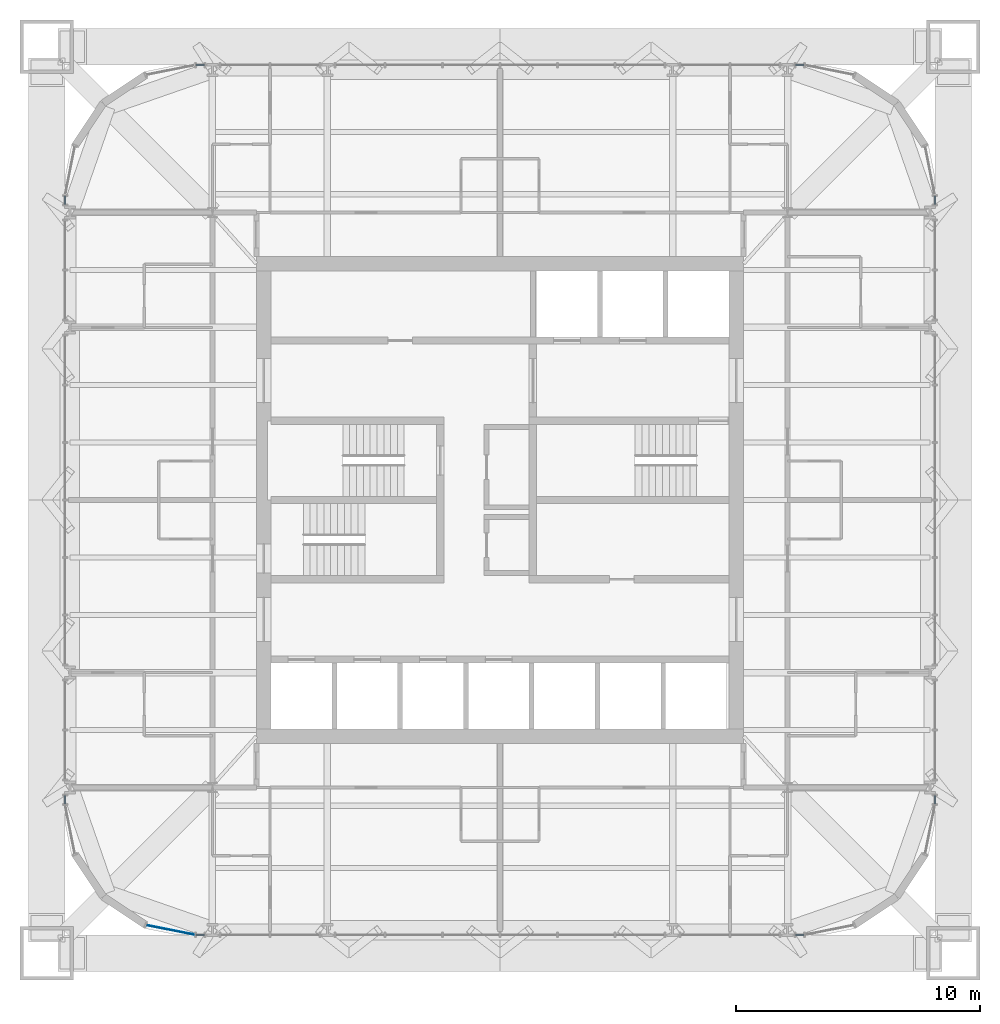
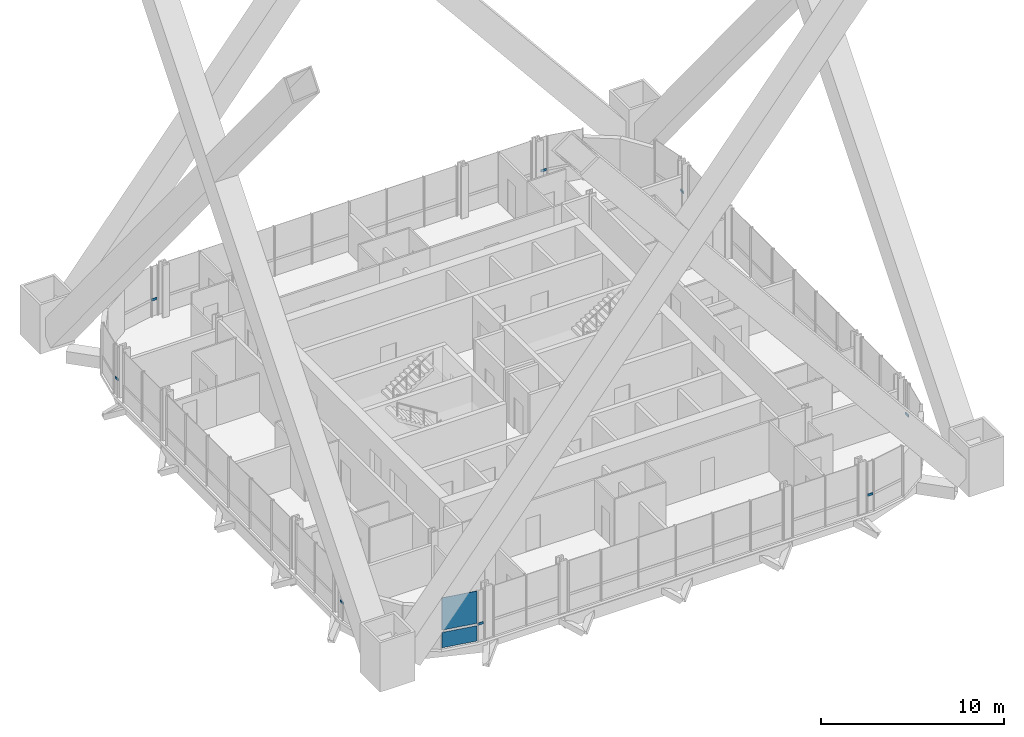
# One storey, part 13 of 23: 8 members, 2 plates, 9 elements without a shape of their own.
"""IFC4 building model written with IfcOpenShell, lengths in metres."""

from ifc_helpers import new_model, si_unit, direction, frame, origin, origin_2d, place, context, subcontext, project, spatial, rectangle, extrude, material, layer, layer_set, material_profile, profile_set, type_object, element, aggregate, save


model = new_model("IFC4")

# Units and contexts
model_context = context("Model", 3, precision=1e-05, world=origin(), true_north=direction((0.0, 1.0)))
body_context = subcontext(model_context, "Body", "Model", "MODEL_VIEW")
ifc_project = project(units=[si_unit("LENGTHUNIT", "METRE"), si_unit("AREAUNIT", "SQUARE_METRE"), si_unit("VOLUMEUNIT", "CUBIC_METRE"), si_unit("PLANEANGLEUNIT", "RADIAN"), si_unit("MASSUNIT", "GRAM", prefix="KILO")], contexts=[model_context])

# Site, building, storey
site_placement = place(None, origin())
site = spatial("IfcSite", under=ifc_project, at=site_placement, CompositionType="ELEMENT")
building_placement = place(site_placement, origin())
building = spatial("IfcBuilding", under=site, at=building_placement, Name="Turquesa Mirador Hotel Tower", CompositionType="ELEMENT")
storey_placement = place(building_placement, frame((0.0, 0.0, 226.699951171875)))
storey = spatial("IfcBuildingStorey", under=building, at=storey_placement, Name="L61", CompositionType="ELEMENT", Elevation=226.699951171875)

# Curtain wall, member
ifc_material_1 = material(Name="Aluminium extrusion", Category="aluminium")
curtain_wall_type = type_object("IfcCurtainWallType", Name="CW-4 SUITE FRITTED CURTAIN WALL", PredefinedType="USERDEFINED", material=ifc_material_1)
curtain_wall_1_placement = place(storey_placement, origin())
curtain_wall_1 = element("IfcCurtainWall", 1, at=curtain_wall_1_placement, inside=storey, type_object=curtain_wall_type, Name="CW-4 SUITE FRITTED CURTAIN WALL L61", ObjectType="CURTAIN WALL", PredefinedType="USERDEFINED")
ifc_material_2 = material(Name="Aluminium extrusion", Category="aluminium")
ifc_material_profile = material_profile(ifc_material_2, rectangle(XDim=0.06494140625, YDim=0.14990234375, at=origin_2d()), Name="TRANSOM 65X150")
ifc_profile_set = profile_set([ifc_material_profile], Name="Aluminium extrusion")
member_type = type_object("IfcMemberType", Name="CW TRANSOM 65X150", PredefinedType="USERDEFINED", material=ifc_profile_set)
member_1_placement = place(storey_placement, frame((72.85009765625, 32.532470703125, 1.10009765625), z_axis=(0.0, 1.0, 0.0), x_axis=(-1.0, 0.0, 0.0)))
member_1 = element("IfcMember", 2, at=member_1_placement, type_object=member_type, Name="Transom", ObjectType="TRANSOM", PredefinedType="USERDEFINED", context=body_context, shape_type="SweptSolid", body=[
    extrude(rectangle(XDim=0.06494140625, YDim=0.14990234375, at=origin_2d()), origin(), (0.0, 0.0, 1.0), 0.335205078125),
])
aggregate(curtain_wall_1, [member_1])

curtain_wall_2_placement = place(storey_placement, origin())
curtain_wall_2 = element("IfcCurtainWall", 3, at=curtain_wall_2_placement, inside=storey, type_object=curtain_wall_type, Name="CW-4 SUITE FRITTED CURTAIN WALL L61", ObjectType="CURTAIN WALL", PredefinedType="USERDEFINED")
member_2_placement = place(storey_placement, frame((72.85009765625, 57.13232421875, 1.10009765625), z_axis=(0.0, 1.0, 0.0), x_axis=(-1.0, 0.0, 0.0)))
member_2 = element("IfcMember", 4, at=member_2_placement, type_object=member_type, Name="Transom", ObjectType="TRANSOM", PredefinedType="USERDEFINED", context=body_context, shape_type="SweptSolid", body=[
    extrude(rectangle(XDim=0.06494140625, YDim=0.14990234375, at=origin_2d()), origin(), (0.0, 0.0, 1.0), 0.335205078125),
])
aggregate(curtain_wall_2, [member_2])

curtain_wall_3_placement = place(storey_placement, origin())
curtain_wall_3 = element("IfcCurtainWall", 5, at=curtain_wall_3_placement, inside=storey, type_object=curtain_wall_type, Name="CW-4 SUITE FRITTED CURTAIN WALL L61", ObjectType="CURTAIN WALL", PredefinedType="USERDEFINED")
member_3_placement = place(storey_placement, frame((67.467529296875, 62.85009765625, 1.10009765625), z_axis=(-1.0, 0.0, 0.0), x_axis=(0.0, -1.0, 0.0)))
member_3 = element("IfcMember", 6, at=member_3_placement, type_object=member_type, Name="Transom", ObjectType="TRANSOM", PredefinedType="USERDEFINED", context=body_context, shape_type="SweptSolid", body=[
    extrude(rectangle(XDim=0.06494140625, YDim=0.14990234375, at=origin_2d()), origin(), (0.0, 0.0, 1.0), 0.335205078125),
])
aggregate(curtain_wall_3, [member_3])

curtain_wall_4_placement = place(storey_placement, origin())
curtain_wall_4 = element("IfcCurtainWall", 7, at=curtain_wall_4_placement, inside=storey, type_object=curtain_wall_type, Name="CW-4 SUITE FRITTED CURTAIN WALL L61", ObjectType="CURTAIN WALL", PredefinedType="USERDEFINED")
member_4_placement = place(storey_placement, frame((42.86767578125, 62.85009765625, 1.10009765625), z_axis=(-1.0, 0.0, 0.0), x_axis=(0.0, -1.0, 0.0)))
member_4 = element("IfcMember", 8, at=member_4_placement, type_object=member_type, Name="Transom", ObjectType="TRANSOM", PredefinedType="USERDEFINED", context=body_context, shape_type="SweptSolid", body=[
    extrude(rectangle(XDim=0.06494140625, YDim=0.14990234375, at=origin_2d()), origin(), (0.0, 0.0, 1.0), 0.335205078125),
])
aggregate(curtain_wall_4, [member_4])

curtain_wall_5_placement = place(storey_placement, origin())
curtain_wall_5 = element("IfcCurtainWall", 9, at=curtain_wall_5_placement, inside=storey, type_object=curtain_wall_type, Name="CW-4 SUITE FRITTED CURTAIN WALL L61", ObjectType="CURTAIN WALL", PredefinedType="USERDEFINED")
member_5_placement = place(storey_placement, frame((37.14990234375, 57.467529296875, 1.10009765625), z_axis=(0.0, -1.0, 0.0), x_axis=(1.0, 0.0, 0.0)))
member_5 = element("IfcMember", 10, at=member_5_placement, type_object=member_type, Name="Transom", ObjectType="TRANSOM", PredefinedType="USERDEFINED", context=body_context, shape_type="SweptSolid", body=[
    extrude(rectangle(XDim=0.06494140625, YDim=0.14990234375, at=origin_2d()), origin(), (0.0, 0.0, 1.0), 0.335205078125),
])
aggregate(curtain_wall_5, [member_5])

curtain_wall_6_placement = place(storey_placement, origin())
curtain_wall_6 = element("IfcCurtainWall", 11, at=curtain_wall_6_placement, inside=storey, type_object=curtain_wall_type, Name="CW-4 SUITE FRITTED CURTAIN WALL L61", ObjectType="CURTAIN WALL", PredefinedType="USERDEFINED")
member_6_placement = place(storey_placement, frame((37.14990234375, 32.86767578125, 1.10009765625), z_axis=(0.0, -1.0, 0.0), x_axis=(1.0, 0.0, 0.0)))
member_6 = element("IfcMember", 12, at=member_6_placement, type_object=member_type, Name="Transom", ObjectType="TRANSOM", PredefinedType="USERDEFINED", context=body_context, shape_type="SweptSolid", body=[
    extrude(rectangle(XDim=0.06494140625, YDim=0.14990234375, at=origin_2d()), origin(), (0.0, 0.0, 1.0), 0.335205078125),
])
aggregate(curtain_wall_6, [member_6])

curtain_wall_7_placement = place(storey_placement, origin())
curtain_wall_7 = element("IfcCurtainWall", 13, at=curtain_wall_7_placement, inside=storey, type_object=curtain_wall_type, Name="CW-4 SUITE FRITTED CURTAIN WALL L61", ObjectType="CURTAIN WALL", PredefinedType="USERDEFINED")
member_7_placement = place(storey_placement, frame((42.532470703125, 27.14990234375, 1.10009765625), z_axis=(1.0, 0.0, 0.0), x_axis=(0.0, 1.0, 0.0)))
member_7 = element("IfcMember", 14, at=member_7_placement, type_object=member_type, Name="Transom", ObjectType="TRANSOM", PredefinedType="USERDEFINED", context=body_context, shape_type="SweptSolid", body=[
    extrude(rectangle(XDim=0.06494140625, YDim=0.14990234375, at=origin_2d()), origin(), (0.0, 0.0, 1.0), 0.335205078125),
])
aggregate(curtain_wall_7, [member_7])

curtain_wall_8_placement = place(storey_placement, origin())
curtain_wall_8 = element("IfcCurtainWall", 15, at=curtain_wall_8_placement, inside=storey, type_object=curtain_wall_type, Name="CW-4 SUITE FRITTED CURTAIN WALL L61", ObjectType="CURTAIN WALL", PredefinedType="USERDEFINED")
member_8_placement = place(storey_placement, frame((67.13232421875, 27.14990234375, 1.10009765625), z_axis=(1.0, 0.0, 0.0), x_axis=(0.0, 1.0, 0.0)))
member_8 = element("IfcMember", 16, at=member_8_placement, type_object=member_type, Name="Transom", ObjectType="TRANSOM", PredefinedType="USERDEFINED", context=body_context, shape_type="SweptSolid", body=[
    extrude(rectangle(XDim=0.06494140625, YDim=0.14990234375, at=origin_2d()), origin(), (0.0, 0.0, 1.0), 0.335205078125),
])
aggregate(curtain_wall_8, [member_8])

# Curtain wall, plates
curtain_wall_9_placement = place(storey_placement, origin())
curtain_wall_9 = element("IfcCurtainWall", 17, at=curtain_wall_9_placement, inside=storey, type_object=curtain_wall_type, Name="CW-4 SUITE FRITTED CURTAIN WALL L61", ObjectType="CURTAIN WALL", PredefinedType="USERDEFINED")
ifc_material_3 = material(Name="Ceramic-printed spandrel glass on an insulated back pan", Category="glass")
ifc_layer_1 = layer(ifc_material_3, 0.050048828125)
ifc_layer_set_1 = layer_set([ifc_layer_1], Name="CW PANEL SPANDREL CERAMIC")
plate_type_1 = type_object("IfcPlateType", Name="CW PANEL SPANDREL CERAMIC", PredefinedType="CURTAIN_PANEL", material=ifc_layer_set_1)
plate_1_placement = place(storey_placement, frame((41.476318359375, 27.353515625, 0.0), z_axis=(0.0, 0.0, 1.0), x_axis=(0.980785228048, -0.195090585221, 0.0)))
plate_1 = element("IfcPlate", 18, at=plate_1_placement, type_object=plate_type_1, Name="Panel", PredefinedType="CURTAIN_PANEL", context=body_context, shape_type="SweptSolid", body=[
    extrude(rectangle(XDim=2.0224609375, YDim=0.050048828125, at=origin_2d()), origin(), (0.0, 0.0, 1.0), 1.02490234375),
])
ifc_material_4 = material(Name="Ceramic-fritted laminated glass", Category="glass")
ifc_layer_2 = layer(ifc_material_4, 0.031982421875)
ifc_layer_set_2 = layer_set([ifc_layer_2], Name="CW PANEL VISION FRITTED")
plate_type_2 = type_object("IfcPlateType", Name="CW PANEL VISION FRITTED", PredefinedType="CURTAIN_PANEL", material=ifc_layer_set_2)
plate_2_placement = place(storey_placement, frame((41.476318359375, 27.353515625, 1.1748046875), z_axis=(0.0, 0.0, 1.0), x_axis=(0.980785228048, -0.195090585221, 0.0)))
plate_2 = element("IfcPlate", 19, at=plate_2_placement, type_object=plate_type_2, Name="Panel", PredefinedType="CURTAIN_PANEL", context=body_context, shape_type="SweptSolid", body=[
    extrude(rectangle(XDim=2.0224609375, YDim=0.031982421875, at=origin_2d()), origin(), (0.0, 0.0, 1.0), 2.155029296875),
])
aggregate(curtain_wall_9, [plate_1, plate_2])

save(model, "model.ifc")
